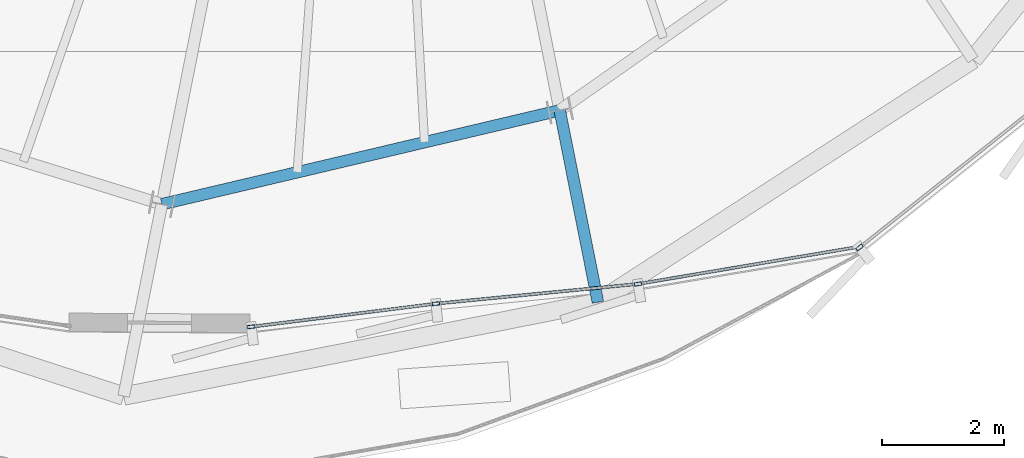
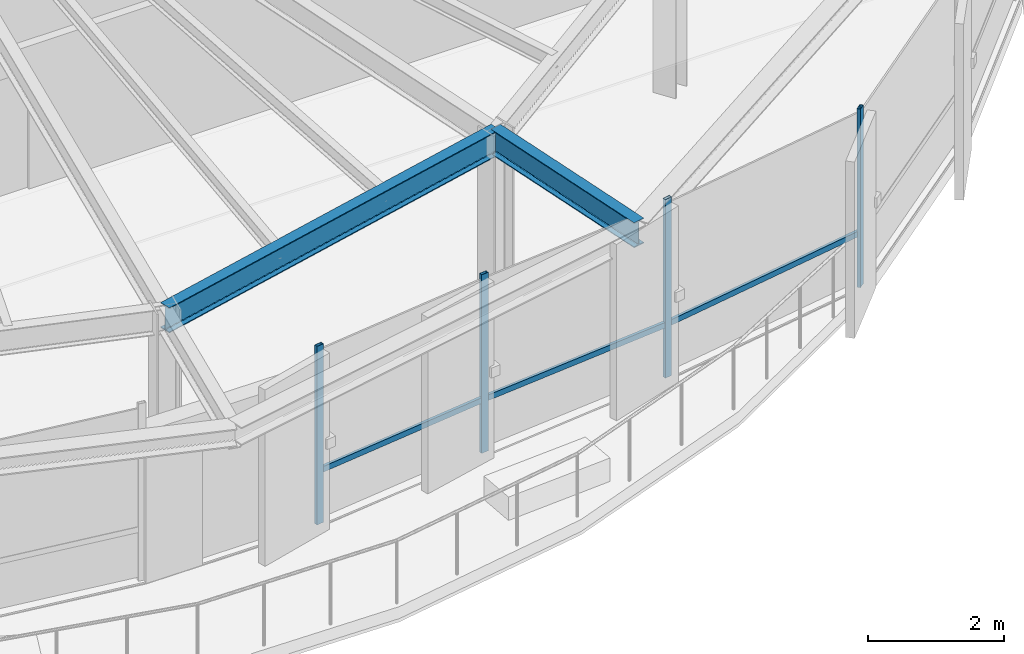
# One storey, part 6 of 32: 7 members, 2 beams, 1 element without a shape of its own.
"""IFC4 building model written with IfcOpenShell, lengths in metres."""

from ifc_helpers import new_model, si_unit, direction, frame, origin, origin_2d, place, context, subcontext, project, spatial, hollow_rectangle, i_section, extrude, source, transform, mapped, material, layer, layer_set, material_profile, profile_set, type_object, element, aggregate, save


model = new_model("IFC4")

# Units and contexts
model_context = context("Model", 3, precision=1e-05, world=origin(), true_north=direction((0.0, 1.0)))
body_context = subcontext(model_context, "Body", "Model", "MODEL_VIEW")
ifc_project = project(units=[si_unit("LENGTHUNIT", "METRE"), si_unit("AREAUNIT", "SQUARE_METRE"), si_unit("VOLUMEUNIT", "CUBIC_METRE"), si_unit("PLANEANGLEUNIT", "RADIAN"), si_unit("MASSUNIT", "GRAM", prefix="KILO"), si_unit("THERMODYNAMICTEMPERATUREUNIT", "KELVIN")], contexts=[model_context])

# Site, building, storey
site_placement = place(None, origin())
site = spatial("IfcSite", under=ifc_project, at=site_placement, CompositionType="ELEMENT")
building_placement = place(site_placement, origin())
building = spatial("IfcBuilding", under=site, at=building_placement, Name="Kethvar Cultural Tower", CompositionType="ELEMENT")
storey_placement = place(building_placement, frame((0.0, 0.0, 273.25)))
storey = spatial("IfcBuildingStorey", under=building, at=storey_placement, Name="L72", CompositionType="ELEMENT", Elevation=273.25)

# Beams
ifc_material_1 = material(Name="Steel S355J2", Category="steel")
ifc_material_profile_1 = material_profile(ifc_material_1, i_section(OverallWidth=0.18994140625, OverallDepth=0.449951171875, WebThickness=0.009521484375, FlangeThickness=0.0146484375, FilletRadius=0.02099609375, at=origin_2d()), Name="Steel S355J2 — IPE450")
ifc_profile_set_1 = profile_set([ifc_material_profile_1], Name="Steel S355J2 — IPE450")
beam_type = type_object("IfcBeamType", Name="BM-IPE450", PredefinedType="BEAM", material=ifc_profile_set_1)
shared_shape_1 = source(origin(), body_context, "Body", "SweptSolid", [
    extrude(i_section(OverallWidth=0.18994140625, OverallDepth=0.449951171875, WebThickness=0.009521484375, FlangeThickness=0.0146484375, FilletRadius=0.02099609375, at=origin_2d()), origin(), (0.0, 0.0, 1.0), 3.199951171875),
])
beam_1_placement = place(storey_placement, frame((49.901611328125, 12.206787109375, 2.98291015625), z_axis=(0.195088965533, -0.980785550224, 0.0), x_axis=(0.980785550224, 0.195088965533, 0.0)))
element("IfcBeam", 1, at=beam_1_placement, inside=storey, type_object=beam_type, Name="L72 Perimeter Cantilever Beam RC-13", PredefinedType="BEAM", context=body_context, shape_type="MappedRepresentation", body=[
    mapped(shared_shape_1, transform((0.0, 0.0, 0.0), scale=1.0)),
])
shared_shape_2 = source(origin(), body_context, "Body", "SweptSolid", [
    extrude(i_section(OverallWidth=0.18994140625, OverallDepth=0.449951171875, WebThickness=0.009521484375, FlangeThickness=0.0146484375, FilletRadius=0.02099609375, at=origin_2d()), origin(), (0.0, 0.0, 1.0), 6.6875),
])
beam_2_placement = place(storey_placement, frame((43.392822265625, 10.67138671875, 2.98291015625), z_axis=(0.973286301494, 0.22959480683, 0.0), x_axis=(-0.22959480683, 0.973286301494, 0.0)))
element("IfcBeam", 2, at=beam_2_placement, inside=storey, type_object=beam_type, Name="L72 Column Ring Tie Beam CR-12", PredefinedType="BEAM", context=body_context, shape_type="MappedRepresentation", body=[
    mapped(shared_shape_2, transform((0.0, 0.0, 0.0), scale=1.0)),
])

# Curtain wall, members
ifc_material_2 = material(Name="Aluminium 6063-T6", Category="aluminium")
ifc_layer = layer(ifc_material_2, 0.179931640625, Name="Aluminium 6063-T6", Category="aluminium")
ifc_layer_set = layer_set([ifc_layer], Name="Aluminium 6063-T6 (180 mm)")
curtain_wall_type = type_object("IfcCurtainWallType", Name="CW-SYS-05-Z56", PredefinedType="NOTDEFINED", material=ifc_layer_set)
curtain_wall_placement = place(storey_placement, origin())
curtain_wall = element("IfcCurtainWall", 3, at=curtain_wall_placement, inside=storey, type_object=curtain_wall_type, Name="L72 Curtain Wall Run 05", PredefinedType="NOTDEFINED")
ifc_material_profile_2 = material_profile(ifc_material_2, hollow_rectangle(XDim=0.054931640625, YDim=0.1201171875, WallThickness=0.00390625, at=origin_2d()), Name="Aluminium 6063-T6 — RHS120x55x4")
ifc_profile_set_2 = profile_set([ifc_material_profile_2], Name="Aluminium 6063-T6 — RHS120x55x4")
member_type_1 = type_object("IfcMemberType", Name="CW-SYS-05-Z56-MUL", PredefinedType="MULLION", material=ifc_profile_set_2)
shared_shape_3 = source(origin(), body_context, "Body", "SweptSolid", [
    extrude(hollow_rectangle(XDim=0.054931640625, YDim=0.1201171875, WallThickness=0.00390625, at=origin_2d()), origin(), (0.0, 0.0, 1.0), 3.2099609375),
])
member_1_placement = place(storey_placement, frame((44.855712890625, 8.666748046875, 0.0), z_axis=(0.0, 0.0, 1.0), x_axis=(-0.124172998374, 0.992260583957, 0.0)))
member_1 = element("IfcMember", 4, at=member_1_placement, type_object=member_type_1, Name="CW-L72-R05 Mullion 1", PredefinedType="MULLION", context=body_context, shape_type="MappedRepresentation", body=[
    mapped(shared_shape_3, transform((0.0, 0.0, 0.0), scale=1.0)),
])
member_2_placement = place(storey_placement, frame((47.87646484375, 9.044677734375, 0.0), z_axis=(0.0, 0.0, 1.0), x_axis=(-0.097027044731, 0.995281745332, 0.0)))
member_2 = element("IfcMember", 5, at=member_2_placement, type_object=member_type_1, Name="CW-L72-R05 Mullion 2", PredefinedType="MULLION", context=body_context, shape_type="MappedRepresentation", body=[
    mapped(shared_shape_3, transform((0.0, 0.0, 0.0), scale=1.0)),
])
member_3_placement = place(storey_placement, frame((51.180908203125, 9.366455078125, 0.0), z_axis=(0.0, 0.0, 1.0), x_axis=(-0.1659770847, 0.986129609815, 0.0)))
member_3 = element("IfcMember", 6, at=member_3_placement, type_object=member_type_1, Name="CW-L72-R05 Mullion 3", PredefinedType="MULLION", context=body_context, shape_type="MappedRepresentation", body=[
    mapped(shared_shape_3, transform((0.0, 0.0, 0.0), scale=1.0)),
])
member_4_placement = place(storey_placement, frame((54.805419921875, 9.9638671875, 0.0), z_axis=(0.0, 0.0, 1.0), x_axis=(-0.622241416936, 0.78282540777, 0.0)))
member_4 = element("IfcMember", 7, at=member_4_placement, type_object=member_type_1, Name="CW-L72-R05 Mullion 4", PredefinedType="MULLION", context=body_context, shape_type="MappedRepresentation", body=[
    mapped(shared_shape_3, transform((0.0, 0.0, 0.0), scale=1.0)),
])
ifc_material_profile_3 = material_profile(ifc_material_2, hollow_rectangle(XDim=0.050048828125, YDim=0.10009765625, WallThickness=0.00390625, at=origin_2d()), Name="Aluminium 6063-T6 — RHS100x50x4")
ifc_profile_set_3 = profile_set([ifc_material_profile_3], Name="Aluminium 6063-T6 — RHS100x50x4")
member_type_2 = type_object("IfcMemberType", Name="CW-SYS-05-Z56-TRN", PredefinedType="USERDEFINED", material=ifc_profile_set_3)
shared_shape_4 = source(origin(), body_context, "Body", "SweptSolid", [
    extrude(hollow_rectangle(XDim=0.050048828125, YDim=0.10009765625, WallThickness=0.00390625, at=origin_2d()), origin(), (0.0, 0.0, 1.0), 2.998046875),
])
member_5_placement = place(storey_placement, frame((44.859619140625, 8.6669921875, 0.949951171875), z_axis=(0.992259073133, 0.124185070704, 0.0), x_axis=(-0.124185070704, 0.992259073133, 0.0)))
member_5 = element("IfcMember", 8, at=member_5_placement, type_object=member_type_2, Name="CW-L72-R05 Transom 1", ObjectType="TRANSOM", PredefinedType="USERDEFINED", context=body_context, shape_type="MappedRepresentation", body=[
    mapped(shared_shape_4, transform((0.0, 0.0, 0.0), scale=1.0)),
])
shared_shape_5 = source(origin(), body_context, "Body", "SweptSolid", [
    extrude(hollow_rectangle(XDim=0.050048828125, YDim=0.10009765625, WallThickness=0.00390625, at=origin_2d()), origin(), (0.0, 0.0, 1.0), 3.24755859375),
])
member_6_placement = place(storey_placement, frame((47.916015625, 9.048583984375, 0.949951171875), z_axis=(0.995286322102, 0.09698008577, 0.0), x_axis=(-0.09698008577, 0.995286322102, 0.0)))
member_6 = element("IfcMember", 9, at=member_6_placement, type_object=member_type_2, Name="CW-L72-R05 Transom 2", ObjectType="TRANSOM", PredefinedType="USERDEFINED", context=body_context, shape_type="MappedRepresentation", body=[
    mapped(shared_shape_5, transform((0.0, 0.0, 0.0), scale=1.0)),
])
shared_shape_6 = source(origin(), body_context, "Body", "SweptSolid", [
    extrude(hollow_rectangle(XDim=0.050048828125, YDim=0.10009765625, WallThickness=0.00390625, at=origin_2d()), origin(), (0.0, 0.0, 1.0), 3.642578125),
])
member_7_placement = place(storey_placement, frame((51.219970703125, 9.373046875, 0.949951171875), z_axis=(0.986133658118, 0.165953030483, 0.0), x_axis=(-0.165953030483, 0.986133658118, 0.0)))
member_7 = element("IfcMember", 10, at=member_7_placement, type_object=member_type_2, Name="CW-L72-R05 Transom 3", ObjectType="TRANSOM", PredefinedType="USERDEFINED", context=body_context, shape_type="MappedRepresentation", body=[
    mapped(shared_shape_6, transform((0.0, 0.0, 0.0), scale=1.0)),
])
aggregate(curtain_wall, [member_1, member_2, member_3, member_4, member_5, member_6, member_7])

save(model, "model.ifc")
